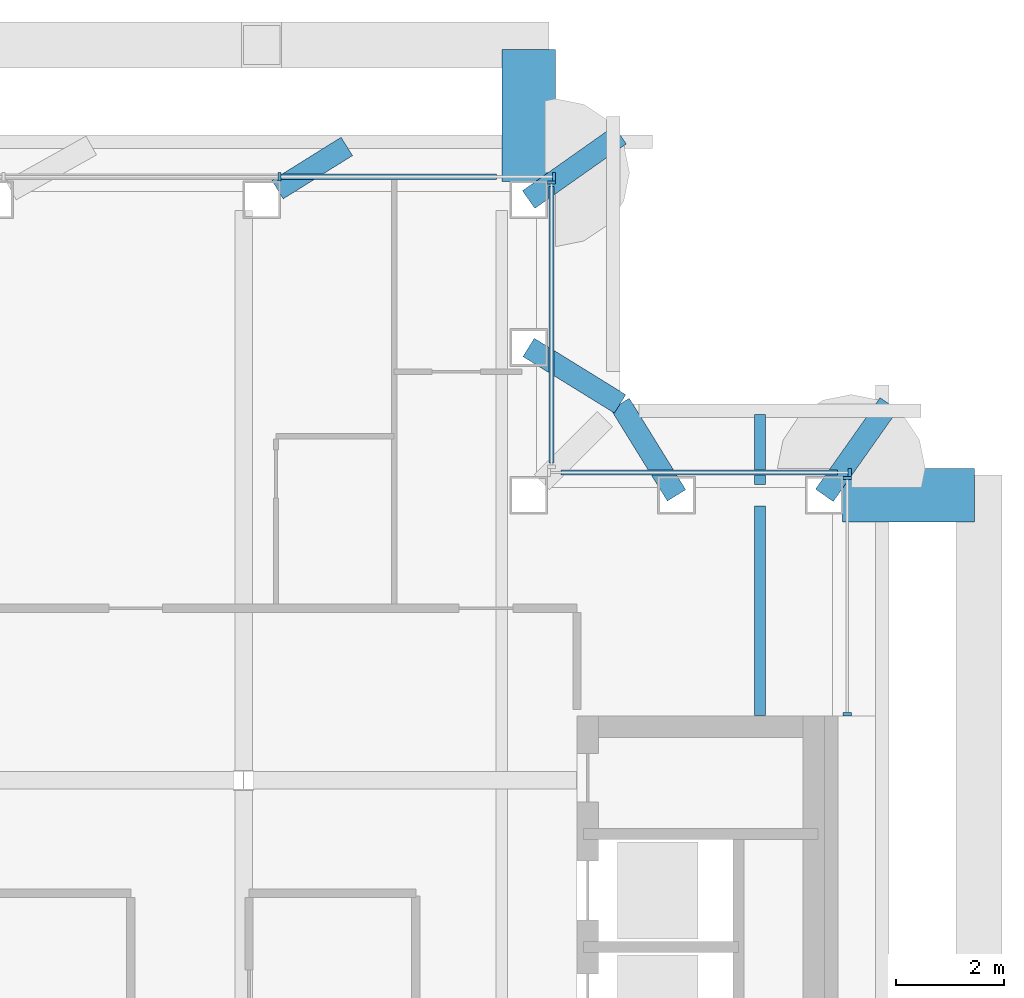
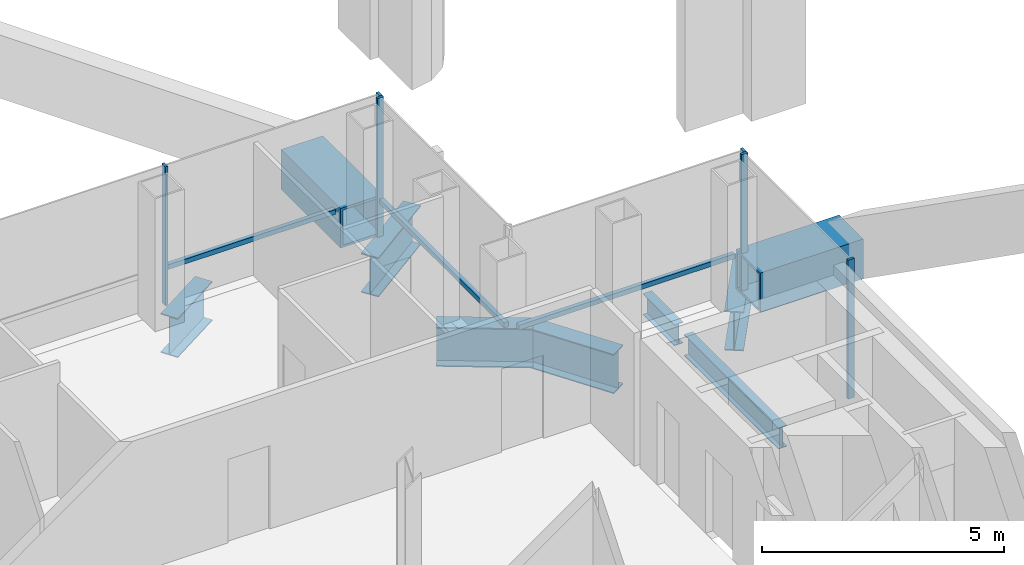
# One storey, part 11 of 22: 9 beams, 9 members, 4 elements without a shape of their own.
"""IFC4 building model written with IfcOpenShell, lengths in metres."""

from ifc_helpers import new_model, si_unit, direction, frame, origin, origin_2d, place, context, subcontext, project, spatial, rectangle, hollow_rectangle, i_section, extrude, material, material_profile, profile_set, type_object, element, aggregate, save


model = new_model("IFC4")

# Units and contexts
model_context = context("Model", 3, precision=1e-05, world=origin(), true_north=direction((0.0, 1.0)))
body_context = subcontext(model_context, "Body", "Model", "MODEL_VIEW")
ifc_project = project(units=[si_unit("LENGTHUNIT", "METRE"), si_unit("AREAUNIT", "SQUARE_METRE"), si_unit("VOLUMEUNIT", "CUBIC_METRE"), si_unit("PLANEANGLEUNIT", "RADIAN"), si_unit("MASSUNIT", "GRAM", prefix="KILO")], contexts=[model_context])

# Site, building, storey
site_placement = place(None, origin())
site = spatial("IfcSite", under=ifc_project, at=site_placement, CompositionType="ELEMENT")
building_placement = place(site_placement, origin())
building = spatial("IfcBuilding", under=site, at=building_placement, Name="Cobrizo Arcos Hotel Tower", CompositionType="ELEMENT")
storey_placement = place(building_placement, frame((0.0, 0.0, 191.0)))
storey = spatial("IfcBuildingStorey", under=building, at=storey_placement, Name="L49", CompositionType="ELEMENT", Elevation=191.0)

# Beams
ifc_material_1 = material(Name="Steel ASTM A572 Grade 50", Category="steel")
ifc_material_profile_1 = material_profile(ifc_material_1, hollow_rectangle(XDim=1.0, YDim=1.0, WallThickness=0.06005859375, at=origin_2d()), Name="BOX 1000X1000X60")
ifc_profile_set_1 = profile_set([ifc_material_profile_1], Name="Steel ASTM A572 Grade 50")
beam_type_1 = type_object("IfcBeamType", Name="BOX 1000X1000X60 brace connector strut", PredefinedType="BEAM", material=ifc_profile_set_1)
for number, where, z_axis, x_axis, name in (
    (1, (14.89990234375, 20.739990234375, 0.5), (0.0, 1.0, 0.0), (-1.0, 0.0, 0.0), "Perimeter brace stub BS1, zone Z4, north face, offset +14.90 m, L49"),
    (2, (20.739990234375, 14.89990234375, 0.5), (1.0, 0.0, 0.0), (0.0, 1.0, 0.0), "Perimeter brace stub BS1, zone Z4, east face, offset +14.90 m, L49"),
):
    element("IfcBeam", number, at=place(storey_placement, frame(where, z_axis=z_axis, x_axis=x_axis)), inside=storey, type_object=beam_type_1, Name=name, PredefinedType="BEAM", context=body_context, shape_type="SweptSolid", body=[
        extrude(hollow_rectangle(XDim=1.0, YDim=1.0, WallThickness=0.06005859375, at=origin_2d()), origin(), (0.0, 0.0, 1.0), 2.455078125),
    ])

# Curtain wall, members
ifc_material_2 = material(Name="Aluminium 6063-T6 anodised bronze", Category="aluminium")
curtain_wall_type = type_object("IfcCurtainWallType", Name="CW-A guest facade", PredefinedType="NOTDEFINED", material=ifc_material_2)
curtain_wall_1_placement = place(storey_placement, origin())
curtain_wall_1 = element("IfcCurtainWall", 3, at=curtain_wall_1_placement, inside=storey, type_object=curtain_wall_type, Name="CW-A L49 E face", PredefinedType="NOTDEFINED")
ifc_material_profile_2 = material_profile(ifc_material_2, rectangle(XDim=0.14990234375, YDim=0.06005859375, at=origin_2d()), Name="CW-A mullion 150x60")
ifc_profile_set_2 = profile_set([ifc_material_profile_2], Name="Aluminium 6063-T6 anodised bronze")
member_type_1 = type_object("IfcMemberType", Name="CW-A mullion 150x60", PredefinedType="MULLION", material=ifc_profile_set_2)
member_1_placement = place(storey_placement, frame((20.824951171875, 10.830078125, 0.0), z_axis=(0.0, 0.0, 1.0), x_axis=(1.0, 0.0, 0.0)))
member_1 = element("IfcMember", 4, at=member_1_placement, type_object=member_type_1, Name="CW-A mullion 1", PredefinedType="MULLION", context=body_context, shape_type="SweptSolid", body=[
    extrude(rectangle(XDim=0.14990234375, YDim=0.06005859375, at=origin_2d()), origin(), (0.0, 0.0, 1.0), 3.5),
])
member_2_placement = place(storey_placement, frame((20.824951171875, 15.219970703125, 0.0), z_axis=(0.0, 0.0, 1.0), x_axis=(1.0, 0.0, 0.0)))
member_2 = element("IfcMember", 5, at=member_2_placement, type_object=member_type_1, Name="CW-A mullion 2", PredefinedType="MULLION", context=body_context, shape_type="SweptSolid", body=[
    extrude(rectangle(XDim=0.14990234375, YDim=0.06005859375, at=origin_2d()), origin(), (0.0, 0.0, 1.0), 3.5),
])
aggregate(curtain_wall_1, [member_1, member_2])

# Curtain wall, member
curtain_wall_2_placement = place(storey_placement, origin())
curtain_wall_2 = element("IfcCurtainWall", 6, at=curtain_wall_2_placement, inside=storey, type_object=curtain_wall_type, Name="CW-A L49 N face", PredefinedType="NOTDEFINED")
member_3_placement = place(storey_placement, frame((20.8701171875, 15.324951171875, 0.0), z_axis=(0.0, 0.0, 1.0), x_axis=(0.0, 1.0, 0.0)))
member_3 = element("IfcMember", 7, at=member_3_placement, type_object=member_type_1, Name="CW-A mullion 1", PredefinedType="MULLION", context=body_context, shape_type="SweptSolid", body=[
    extrude(rectangle(XDim=0.14990234375, YDim=0.06005859375, at=origin_2d()), origin(), (0.0, 0.0, 1.0), 3.5),
])

curtain_wall_3_placement = place(storey_placement, origin())
curtain_wall_3 = element("IfcCurtainWall", 8, at=curtain_wall_3_placement, inside=storey, type_object=curtain_wall_type, Name="CW-A L49 E face", PredefinedType="NOTDEFINED")
member_4_placement = place(storey_placement, frame((15.324951171875, 20.719970703125, 0.0), z_axis=(0.0, 0.0, 1.0), x_axis=(1.0, 0.0, 0.0)))
member_4 = element("IfcMember", 9, at=member_4_placement, type_object=member_type_1, Name="CW-A mullion 2", PredefinedType="MULLION", context=body_context, shape_type="SweptSolid", body=[
    extrude(rectangle(XDim=0.14990234375, YDim=0.06005859375, at=origin_2d()), origin(), (0.0, 0.0, 1.0), 3.5),
])

# Curtain wall, members
curtain_wall_4_placement = place(storey_placement, origin())
curtain_wall_4 = element("IfcCurtainWall", 10, at=curtain_wall_4_placement, inside=storey, type_object=curtain_wall_type, Name="CW-A L49 N face", PredefinedType="NOTDEFINED")
member_5_placement = place(storey_placement, frame((15.3701171875, 20.824951171875, 0.0), z_axis=(0.0, 0.0, 1.0), x_axis=(0.0, 1.0, 0.0)))
member_5 = element("IfcMember", 11, at=member_5_placement, type_object=member_type_1, Name="CW-A mullion 1", PredefinedType="MULLION", context=body_context, shape_type="SweptSolid", body=[
    extrude(rectangle(XDim=0.14990234375, YDim=0.06005859375, at=origin_2d()), origin(), (0.0, 0.0, 1.0), 3.5),
])
member_6_placement = place(storey_placement, frame((10.2666015625, 20.824951171875, 0.0), z_axis=(0.0, 0.0, 1.0), x_axis=(0.0, 1.0, 0.0)))
member_6 = element("IfcMember", 12, at=member_6_placement, type_object=member_type_1, Name="CW-A mullion 2", PredefinedType="MULLION", context=body_context, shape_type="SweptSolid", body=[
    extrude(rectangle(XDim=0.14990234375, YDim=0.06005859375, at=origin_2d()), origin(), (0.0, 0.0, 1.0), 3.5),
])

# Member
ifc_material_profile_3 = material_profile(ifc_material_2, rectangle(XDim=0.10009765625, YDim=0.1201171875, at=origin_2d()), Name="CW-A transom 120x100")
ifc_profile_set_3 = profile_set([ifc_material_profile_3], Name="Aluminium 6063-T6 anodised bronze")
member_type_2 = type_object("IfcMemberType", Name="CW-A transom 120x100", PredefinedType="USERDEFINED", material=ifc_profile_set_3)
member_7_placement = place(storey_placement, frame((20.639892578125, 15.324951171875, 0.929931640625), z_axis=(-1.0, 0.0, 0.0), x_axis=(0.0, -1.0, 0.0)))
member_7 = element("IfcMember", 13, at=member_7_placement, type_object=member_type_2, Name="CW-A transom 1706", ObjectType="TRANSOM", PredefinedType="USERDEFINED", context=body_context, shape_type="SweptSolid", body=[
    extrude(rectangle(XDim=0.10009765625, YDim=0.1201171875, at=origin_2d()), origin(), (0.0, 0.0, 1.0), 5.139892578125),
])

aggregate(curtain_wall_2, [member_3, member_7])

member_8_placement = place(storey_placement, frame((15.324951171875, 15.5, 0.929931640625), z_axis=(0.0, 1.0, 0.0), x_axis=(-1.0, 0.0, 0.0)))
member_8 = element("IfcMember", 14, at=member_8_placement, type_object=member_type_2, Name="CW-A transom 1707", ObjectType="TRANSOM", PredefinedType="USERDEFINED", context=body_context, shape_type="SweptSolid", body=[
    extrude(rectangle(XDim=0.10009765625, YDim=0.1201171875, at=origin_2d()), origin(), (0.0, 0.0, 1.0), 5.139892578125),
])

aggregate(curtain_wall_3, [member_4, member_8])

member_9_placement = place(storey_placement, frame((14.300048828125, 20.824951171875, 0.929931640625), z_axis=(-1.0, 0.0, 0.0), x_axis=(0.0, -1.0, 0.0)))
member_9 = element("IfcMember", 15, at=member_9_placement, type_object=member_type_2, Name="CW-A transom 1708", ObjectType="TRANSOM", PredefinedType="USERDEFINED", context=body_context, shape_type="SweptSolid", body=[
    extrude(rectangle(XDim=0.10009765625, YDim=0.1201171875, at=origin_2d()), origin(), (0.0, 0.0, 1.0), 4.00341796875),
])

aggregate(curtain_wall_4, [member_5, member_6, member_9])

# Beams
ifc_material_3 = material(Name="Steel ASTM A992 Grade 50", Category="steel")
ifc_material_profile_4 = material_profile(ifc_material_3, i_section(OverallWidth=0.209228515625, OverallDepth=0.533447265625, WebThickness=0.01025390625, FlangeThickness=0.015625, at=origin_2d()), Name="W21X62")
ifc_profile_set_4 = profile_set([ifc_material_profile_4], Name="Steel ASTM A992 Grade 50")
beam_type_2 = type_object("IfcBeamType", Name="W21X62 joist", PredefinedType="JOIST", material=ifc_profile_set_4)
beam_1_placement = place(storey_placement, frame((19.199951171875, 10.81005859375, -0.416748046875), z_axis=(0.0, 1.0, 0.0), x_axis=(-1.0, 0.0, 0.0)))
element("IfcBeam", 16, at=beam_1_placement, inside=storey, type_object=beam_type_2, Name="Floor joist J1, L49, no. 023", PredefinedType="JOIST", context=body_context, shape_type="SweptSolid", body=[
    extrude(i_section(OverallWidth=0.209228515625, OverallDepth=0.533447265625, WebThickness=0.01025390625, FlangeThickness=0.015625, at=origin_2d()), origin(), (0.0, 0.0, 1.0), 3.889404296875),
])
beam_2_placement = place(storey_placement, frame((19.199951171875, 15.1005859375, -0.416748046875), z_axis=(0.0, 1.0, 0.0), x_axis=(-1.0, 0.0, 0.0)))
element("IfcBeam", 17, at=beam_2_placement, inside=storey, type_object=beam_type_2, Name="Floor joist J1, L49, no. 024", PredefinedType="JOIST", context=body_context, shape_type="SweptSolid", body=[
    extrude(i_section(OverallWidth=0.209228515625, OverallDepth=0.533447265625, WebThickness=0.01025390625, FlangeThickness=0.015625, at=origin_2d()), origin(), (0.0, 0.0, 1.0), 1.298828125),
])
ifc_material_profile_5 = material_profile(ifc_material_3, i_section(OverallWidth=0.4013671875, OverallDepth=0.990478515625, WebThickness=0.0166015625, FlangeThickness=0.025390625, at=origin_2d()), Name="W40X215")
ifc_profile_set_5 = profile_set([ifc_material_profile_5], Name="Steel ASTM A992 Grade 50")
beam_type_3 = type_object("IfcBeamType", Name="W40X215 transfer girder", PredefinedType="BEAM", material=ifc_profile_set_5)
beam_3_placement = place(storey_placement, frame((11.517578125, 21.38818359375, -0.645263671875), z_axis=(-0.848522130236, -0.529159895022, 0.0), x_axis=(0.529159895022, -0.848522130236, 0.0)))
element("IfcBeam", 18, at=beam_3_placement, inside=storey, type_object=beam_type_3, Name="Setback transfer girder TG1, L49, no. 011", PredefinedType="BEAM", context=body_context, shape_type="SweptSolid", body=[
    extrude(i_section(OverallWidth=0.4013671875, OverallDepth=0.990478515625, WebThickness=0.0166015625, FlangeThickness=0.025390625, at=origin_2d()), origin(), (0.0, 0.0, 1.0), 1.517578125),
])
for number, where, z_axis, x_axis, name in (
    (19, (16.60009765625, 21.60009765625, -0.645263671875), (-0.816954858588, -0.57670162045, 0.0), (0.57670162045, -0.816954858588, 0.0), "Setback transfer girder TG1, L49, no. 013"),
    (20, (21.60009765625, 16.60009765625, -0.645263671875), (-0.57670162045, -0.816954858588, 0.0), (0.816954858588, -0.57670162045, 0.0), "Setback transfer girder TG1, L49, no. 017"),
):
    element("IfcBeam", number, at=place(storey_placement, frame(where, z_axis=z_axis, x_axis=x_axis)), inside=storey, type_object=beam_type_3, Name=name, PredefinedType="BEAM", context=body_context, shape_type="SweptSolid", body=[
        extrude(i_section(OverallWidth=0.4013671875, OverallDepth=0.990478515625, WebThickness=0.0166015625, FlangeThickness=0.025390625, at=origin_2d()), origin(), (0.0, 0.0, 1.0), 2.0810546875),
    ])
for number, where, z_axis, x_axis, name in (
    (21, (16.60009765625, 16.60009765625, -0.645263671875), (-0.850868681752, 0.525378422104, 0.0), (-0.525378422104, -0.850868681752, 0.0), "Setback transfer girder TG1, L49, no. 029"),
    (22, (16.60009765625, 16.60009765625, -0.645263671875), (0.525378422104, -0.850868681752, 0.0), (0.850868681752, 0.525378422104, 0.0), "Setback transfer girder TG1, L49, no. 030"),
):
    element("IfcBeam", number, at=place(storey_placement, frame(where, z_axis=z_axis, x_axis=x_axis)), inside=storey, type_object=beam_type_3, Name=name, PredefinedType="BEAM", context=body_context, shape_type="SweptSolid", body=[
        extrude(i_section(OverallWidth=0.4013671875, OverallDepth=0.990478515625, WebThickness=0.0166015625, FlangeThickness=0.025390625, at=origin_2d()), origin(), (0.0, 0.0, 1.0), 1.998291015625),
    ])

save(model, "model.ifc")
